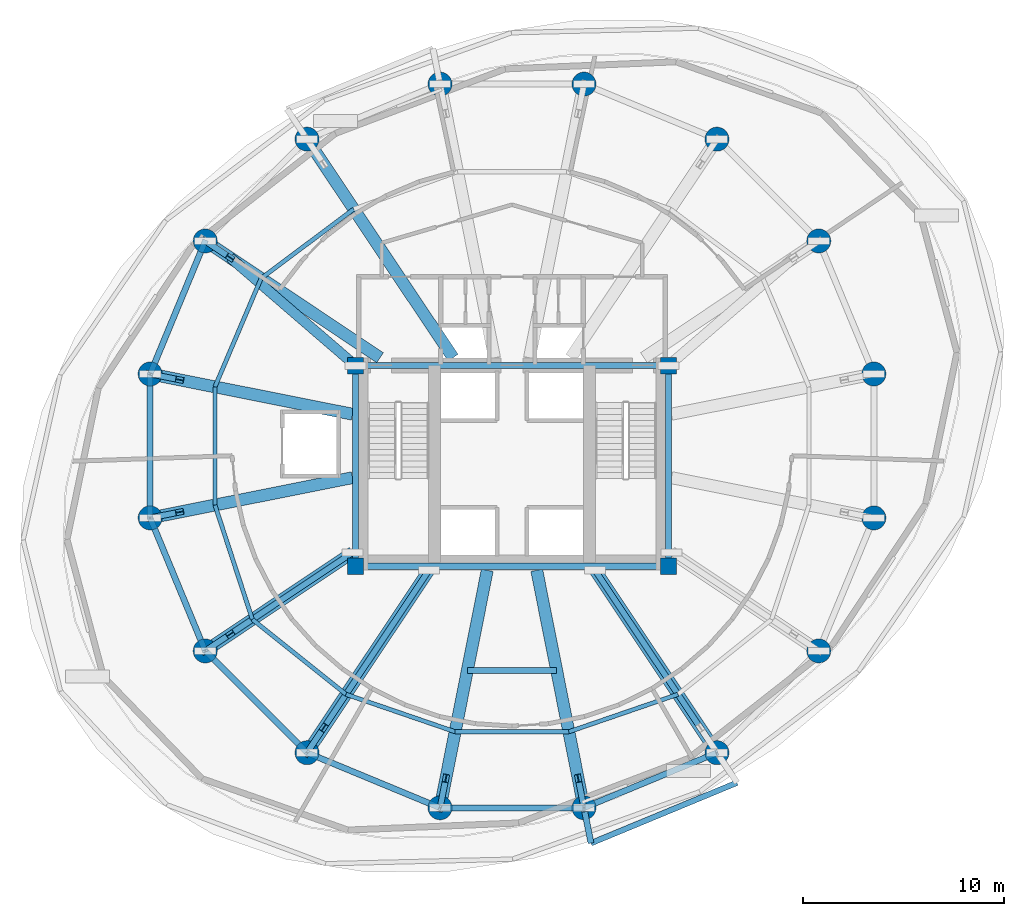
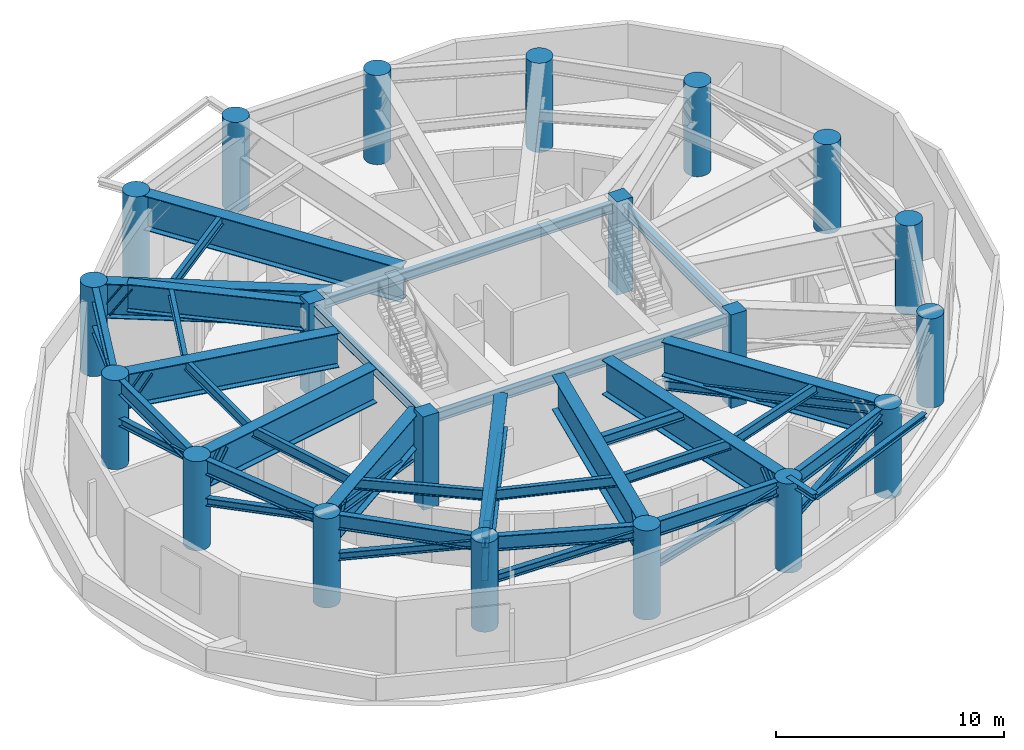
# One storey, part 1 of 7: 32 beams, 20 columns, 17 members.
"""IFC4 building model written with IfcOpenShell, lengths in metres."""

from ifc_helpers import new_model, si_unit, direction, frame, origin, origin_2d, place, context, subcontext, project, spatial, rectangle, circle, i_section, extrude, material, material_profile, profile_set, type_object, element, save


model = new_model("IFC4")

# Units and contexts
model_context = context("Model", 3, precision=1e-05, world=origin(), true_north=direction((0.0, 1.0)))
body_context = subcontext(model_context, "Body", "Model", "MODEL_VIEW")
ifc_project = project(units=[si_unit("LENGTHUNIT", "METRE"), si_unit("AREAUNIT", "SQUARE_METRE"), si_unit("VOLUMEUNIT", "CUBIC_METRE"), si_unit("PLANEANGLEUNIT", "RADIAN"), si_unit("MASSUNIT", "GRAM", prefix="KILO"), si_unit("THERMODYNAMICTEMPERATUREUNIT", "KELVIN"), si_unit("POWERUNIT", "WATT")], contexts=[model_context])

# Site, building, storey
site_placement = place(None, origin())
site = spatial("IfcSite", under=ifc_project, at=site_placement, CompositionType="ELEMENT")
building_placement = place(site_placement, origin())
building = spatial("IfcBuilding", under=site, at=building_placement, Name="Ocrelia Relay Tower", CompositionType="ELEMENT")
storey_placement = place(building_placement, frame((0.0, 0.0, 157.800048828125)))
storey = spatial("IfcBuildingStorey", under=building, at=storey_placement, Name="L37", CompositionType="ELEMENT", Elevation=157.800048828125)

# Columns
ifc_material_1 = material(Name="Concrete C60/75", Category="concrete")
ifc_material_profile_1 = material_profile(ifc_material_1, circle(Radius=0.60009765625, at=origin_2d()), Name="RC-CIR-1200")
ifc_profile_set_1 = profile_set([ifc_material_profile_1], Name="Concrete C60/75")
column_type_1 = type_object("IfcColumnType", Name="COL-CT-1200", PredefinedType="COLUMN", material=ifc_profile_set_1)
for number, where, z_axis, x_axis, name in (
    (1, (52.04638671875, 29.589599609375, 0.0), (0.0, 0.0, 1.0), (1.0, 0.0, 0.0), "L37 Perimeter Ring Column C01"),
    (2, (49.299072265625, 36.222412109375, 0.0), (0.0, 0.0, 1.0), (1.0, 0.0, 0.0), "L37 Perimeter Ring Column C02"),
    (3, (44.222412109375, 41.299072265625, 0.0), (0.0, 0.0, 1.0), (1.0, 0.0, 0.0), "L37 Perimeter Ring Column C03"),
    (4, (37.589599609375, 44.04638671875, 0.0), (0.0, 0.0, 1.0), (1.0, 0.0, 0.0), "L37 Perimeter Ring Column C04"),
    (5, (30.410400390625, 44.04638671875, 0.0), (0.0, 0.0, 1.0), (1.0, 0.0, 0.0), "L37 Perimeter Ring Column C05"),
    (6, (23.777587890625, 41.299072265625, 0.0), (0.0, 0.0, 1.0), (1.0, 0.0, 0.0), "L37 Perimeter Ring Column C06"),
    (7, (18.700927734375, 36.222412109375, 0.0), (0.0, 0.0, 1.0), (1.0, 0.0, 0.0), "L37 Perimeter Ring Column C07"),
    (8, (15.95361328125, 29.589599609375, 0.0), (0.0, 0.0, 1.0), (1.0, 0.0, 0.0), "L37 Perimeter Ring Column C08"),
    (9, (15.95361328125, 22.410400390625, 0.0), (0.0, 0.0, 1.0), (1.0, 0.0, 0.0), "L37 Perimeter Ring Column C09"),
    (10, (18.700927734375, 15.777587890625, 0.0), (0.0, 0.0, 1.0), (1.0, 0.0, 0.0), "L37 Perimeter Ring Column C10"),
    (11, (23.777587890625, 10.700927734375, 0.0), (0.0, 0.0, 1.0), (1.0, 0.0, 0.0), "L37 Perimeter Ring Column C11"),
    (12, (30.410400390625, 7.95361328125, 0.0), (0.0, 0.0, 1.0), (1.0, 0.0, 0.0), "L37 Perimeter Ring Column C12"),
    (13, (37.589599609375, 7.95361328125, 0.0), (0.0, 0.0, 1.0), (1.0, 0.0, 0.0), "L37 Perimeter Ring Column C13"),
    (14, (44.222412109375, 10.700927734375, 0.0), (0.0, 0.0, 1.0), (1.0, 0.0, 0.0), "L37 Perimeter Ring Column C14"),
    (15, (49.299072265625, 15.777587890625, 0.0), (0.0, 0.0, 1.0), (1.0, 0.0, 0.0), "L37 Perimeter Ring Column C15"),
    (16, (52.04638671875, 22.410400390625, 0.0), (0.0, 0.0, 1.0), (1.0, 0.0, 0.0), "L37 Perimeter Ring Column C16"),
):
    element("IfcColumn", number, at=place(storey_placement, frame(where, z_axis=z_axis, x_axis=x_axis)), inside=storey, type_object=column_type_1, Name=name, PredefinedType="COLUMN", context=body_context, shape_type="SweptSolid", body=[
        extrude(circle(Radius=0.60009765625, at=origin_2d()), origin(), (0.0, 0.0, 1.0), 4.780029296875),
    ])
ifc_material_profile_2 = material_profile(ifc_material_1, rectangle(XDim=0.800048828125, YDim=0.800048828125, at=origin_2d()), Name="RC-COL-800x800")
ifc_profile_set_2 = profile_set([ifc_material_profile_2], Name="Concrete C60/75")
column_type_2 = type_object("IfcColumnType", Name="COL-PILASTER-800", PredefinedType="PILASTER", material=ifc_profile_set_2)
for number, where, z_axis, x_axis, name in (
    (17, (26.199951171875, 20.0, 0.0), (0.0, 0.0, 1.0), (1.0, 0.0, 0.0), "L37 Core Corner Pilaster SW"),
    (18, (41.800048828125, 20.0, 0.0), (0.0, 0.0, 1.0), (1.0, 0.0, 0.0), "L37 Core Corner Pilaster SE"),
    (19, (26.199951171875, 30.0, 0.0), (0.0, 0.0, 1.0), (1.0, 0.0, 0.0), "L37 Core Corner Pilaster NW"),
    (20, (41.800048828125, 30.0, 0.0), (0.0, 0.0, 1.0), (1.0, 0.0, 0.0), "L37 Core Corner Pilaster NE"),
):
    element("IfcColumn", number, at=place(storey_placement, frame(where, z_axis=z_axis, x_axis=x_axis)), inside=storey, type_object=column_type_2, Name=name, PredefinedType="PILASTER", context=body_context, shape_type="SweptSolid", body=[
        extrude(rectangle(XDim=0.800048828125, YDim=0.800048828125, at=origin_2d()), origin(), (0.0, 0.0, 1.0), 5.0),
    ])

# Beams
ifc_material_2 = material(Name="Steel S355", Category="steel")
ifc_material_profile_3 = material_profile(ifc_material_2, i_section(OverallWidth=0.280029296875, OverallDepth=0.27001953125, WebThickness=0.008056640625, FlangeThickness=0.012939453125, FilletRadius=0.02392578125, at=origin_2d()), Name="HEA 280")
ifc_profile_set_3 = profile_set([ifc_material_profile_3], Name="Steel S355")
beam_type_1 = type_object("IfcBeamType", Name="BM-HEA280", PredefinedType="BEAM", material=ifc_profile_set_3)
beam_1_placement = place(storey_placement, frame((37.94091796875, 6.188232421875, 4.64501953125), z_axis=(0.923878650857, 0.382685560861, 0.0), x_axis=(-0.382685560861, 0.923878650857, 0.0)))
element("IfcBeam", 21, at=beam_1_placement, inside=storey, type_object=beam_type_1, Name="L38 Balcony Edge Trimmer Beam B2", PredefinedType="BEAM", context=body_context, shape_type="SweptSolid", body=[
    extrude(i_section(OverallWidth=0.280029296875, OverallDepth=0.27001953125, WebThickness=0.008056640625, FlangeThickness=0.012939453125, FilletRadius=0.02392578125, at=origin_2d()), origin(), (0.0, 0.0, 1.0), 7.88134765625),
])
ifc_material_profile_4 = material_profile(ifc_material_2, i_section(OverallWidth=0.300048828125, OverallDepth=0.330078125, WebThickness=0.009521484375, FlangeThickness=0.0166015625, FilletRadius=0.027099609375, at=origin_2d()), Name="HEA 340")
ifc_profile_set_4 = profile_set([ifc_material_profile_4], Name="Steel S355")
beam_type_2 = type_object("IfcBeamType", Name="BM-HEA340", PredefinedType="BEAM", material=ifc_profile_set_4)
beam_2_placement = place(storey_placement, frame((37.589599609375, 7.95361328125, 4.614990234375), z_axis=(0.19517704197, -0.980768026746, 0.0), x_axis=(0.980768026746, 0.19517704197, 0.0)))
element("IfcBeam", 22, at=beam_2_placement, inside=storey, type_object=beam_type_2, Name="L38 Balcony Cantilever Beam B2-1", PredefinedType="BEAM", context=body_context, shape_type="SweptSolid", body=[
    extrude(i_section(OverallWidth=0.300048828125, OverallDepth=0.330078125, WebThickness=0.009521484375, FlangeThickness=0.0166015625, FilletRadius=0.027099609375, at=origin_2d()), origin(), (0.0, 0.0, 1.0), 1.800048828125),
])
ifc_material_profile_5 = material_profile(ifc_material_2, i_section(OverallWidth=0.300048828125, OverallDepth=0.5, WebThickness=0.014404296875, FlangeThickness=0.028076171875, FilletRadius=0.027099609375, at=origin_2d()), Name="HEB 500")
ifc_profile_set_5 = profile_set([ifc_material_profile_5], Name="Steel S355")
beam_type_3 = type_object("IfcBeamType", Name="BM-HEB500", PredefinedType="BEAM", material=ifc_profile_set_5)
for number, where, z_axis, x_axis, name in (
    (23, (26.199951171875, 20.0, 4.530029296875), (1.0, 0.0, 0.0), (0.0, 1.0, 0.0), "L37 Core Pilaster Tie Beam S"),
    (24, (26.199951171875, 30.0, 4.530029296875), (1.0, 0.0, 0.0), (0.0, 1.0, 0.0), "L37 Core Pilaster Tie Beam N"),
):
    element("IfcBeam", number, at=place(storey_placement, frame(where, z_axis=z_axis, x_axis=x_axis)), inside=storey, type_object=beam_type_3, Name=name, PredefinedType="BEAM", context=body_context, shape_type="SweptSolid", body=[
        extrude(i_section(OverallWidth=0.300048828125, OverallDepth=0.5, WebThickness=0.014404296875, FlangeThickness=0.028076171875, FilletRadius=0.027099609375, at=origin_2d()), origin(), (0.0, 0.0, 1.0), 15.60009765625),
    ])
for number, where, z_axis, x_axis, name in (
    (25, (26.199951171875, 20.0, 4.530029296875), (0.0, 1.0, 0.0), (-1.0, 0.0, 0.0), "L37 Core Pilaster Tie Beam W"),
    (26, (41.800048828125, 20.0, 4.530029296875), (0.0, 1.0, 0.0), (-1.0, 0.0, 0.0), "L37 Core Pilaster Tie Beam E"),
):
    element("IfcBeam", number, at=place(storey_placement, frame(where, z_axis=z_axis, x_axis=x_axis)), inside=storey, type_object=beam_type_3, Name=name, PredefinedType="BEAM", context=body_context, shape_type="SweptSolid", body=[
        extrude(i_section(OverallWidth=0.300048828125, OverallDepth=0.5, WebThickness=0.014404296875, FlangeThickness=0.028076171875, FilletRadius=0.027099609375, at=origin_2d()), origin(), (0.0, 0.0, 1.0), 10.0),
    ])
ifc_material_profile_6 = material_profile(ifc_material_2, i_section(OverallWidth=0.300048828125, OverallDepth=0.550048828125, WebThickness=0.014892578125, FlangeThickness=0.029052734375, FilletRadius=0.027099609375, at=origin_2d()), Name="HEB 550")
ifc_profile_set_6 = profile_set([ifc_material_profile_6], Name="Steel S355")
beam_type_4 = type_object("IfcBeamType", Name="BM-HEB550", PredefinedType="BEAM", material=ifc_profile_set_6)
beam_3_placement = place(storey_placement, frame((31.772216796875, 14.800048828125, 4.5048828125), z_axis=(1.0, 0.0, 0.0), x_axis=(0.0, 1.0, 0.0)))
element("IfcBeam", 27, at=beam_3_placement, inside=storey, type_object=beam_type_4, Name="L37 Atrium South Trimmer Beam", PredefinedType="BEAM", context=body_context, shape_type="SweptSolid", body=[
    extrude(i_section(OverallWidth=0.300048828125, OverallDepth=0.550048828125, WebThickness=0.014892578125, FlangeThickness=0.029052734375, FilletRadius=0.027099609375, at=origin_2d()), origin(), (0.0, 0.0, 1.0), 4.45556640625),
])
ifc_material_profile_7 = material_profile(ifc_material_2, i_section(OverallWidth=0.300048828125, OverallDepth=0.800048828125, WebThickness=0.017578125, FlangeThickness=0.032958984375, FilletRadius=0.030029296875, at=origin_2d()), Name="HEB 800")
ifc_profile_set_7 = profile_set([ifc_material_profile_7], Name="Steel S355")
beam_type_5 = type_object("IfcBeamType", Name="BM-HEB800", PredefinedType="BEAM", material=ifc_profile_set_7)
for number, where, z_axis, x_axis, name in (
    (28, (18.700927734375, 36.222412109375, 4.3798828125), (-0.382673155247, -0.923883789366, 0.0), (0.923883789366, -0.382673155247, 0.0), "L37 Perimeter Spandrel Beam S07"),
    (29, (15.95361328125, 29.589599609375, 4.3798828125), (0.0, -1.0, 0.0), (1.0, 0.0, 0.0), "L37 Perimeter Spandrel Beam S08"),
    (30, (15.95361328125, 22.410400390625, 4.3798828125), (0.382673155247, -0.923883789366, 0.0), (0.923883789366, 0.382673155247, 0.0), "L37 Perimeter Spandrel Beam S09"),
):
    element("IfcBeam", number, at=place(storey_placement, frame(where, z_axis=z_axis, x_axis=x_axis)), inside=storey, type_object=beam_type_5, Name=name, PredefinedType="BEAM", context=body_context, shape_type="SweptSolid", body=[
        extrude(i_section(OverallWidth=0.300048828125, OverallDepth=0.800048828125, WebThickness=0.017578125, FlangeThickness=0.032958984375, FilletRadius=0.030029296875, at=origin_2d()), origin(), (0.0, 0.0, 1.0), 7.17919921875),
    ])
beam_4_placement = place(storey_placement, frame((18.700927734375, 15.777587890625, 4.3798828125), z_axis=(0.707106781187, -0.707106781187, 0.0), x_axis=(0.707106781187, 0.707106781187, 0.0)))
element("IfcBeam", 31, at=beam_4_placement, inside=storey, type_object=beam_type_5, Name="L37 Perimeter Spandrel Beam S10", PredefinedType="BEAM", context=body_context, shape_type="SweptSolid", body=[
    extrude(i_section(OverallWidth=0.300048828125, OverallDepth=0.800048828125, WebThickness=0.017578125, FlangeThickness=0.032958984375, FilletRadius=0.030029296875, at=origin_2d()), origin(), (0.0, 0.0, 1.0), 7.179443359375),
])
for number, where, z_axis, x_axis, name in (
    (32, (23.777587890625, 10.700927734375, 4.3798828125), (0.923883789366, -0.382673155247, 0.0), (0.382673155247, 0.923883789366, 0.0), "L37 Perimeter Spandrel Beam S11"),
    (33, (30.410400390625, 7.95361328125, 4.3798828125), (1.0, 0.0, 0.0), (0.0, 1.0, 0.0), "L37 Perimeter Spandrel Beam S12"),
    (34, (37.589599609375, 7.95361328125, 4.3798828125), (0.923883789366, 0.382673155247, 0.0), (-0.382673155247, 0.923883789366, 0.0), "L37 Perimeter Spandrel Beam S13"),
):
    element("IfcBeam", number, at=place(storey_placement, frame(where, z_axis=z_axis, x_axis=x_axis)), inside=storey, type_object=beam_type_5, Name=name, PredefinedType="BEAM", context=body_context, shape_type="SweptSolid", body=[
        extrude(i_section(OverallWidth=0.300048828125, OverallDepth=0.800048828125, WebThickness=0.017578125, FlangeThickness=0.032958984375, FilletRadius=0.030029296875, at=origin_2d()), origin(), (0.0, 0.0, 1.0), 7.17919921875),
    ])
ifc_material_profile_8 = material_profile(ifc_material_2, i_section(OverallWidth=0.2099609375, OverallDepth=0.550048828125, WebThickness=0.010986328125, FlangeThickness=0.01708984375, FilletRadius=0.02392578125, at=origin_2d()), Name="IPE 550")
ifc_profile_set_8 = profile_set([ifc_material_profile_8], Name="Steel S355")
beam_type_6 = type_object("IfcBeamType", Name="BM-IPE550", PredefinedType="JOIST", material=ifc_profile_set_8)
beam_5_placement = place(storey_placement, frame((26.10791015625, 37.811279296875, 4.5048828125), z_axis=(-0.800989719568, -0.598678101442, 0.0), x_axis=(0.598678101442, -0.800989719568, 0.0)))
element("IfcBeam", 35, at=beam_5_placement, inside=storey, type_object=beam_type_6, Name="L37 Secondary Floor Joist J06", PredefinedType="JOIST", context=body_context, shape_type="SweptSolid", body=[
    extrude(i_section(OverallWidth=0.2099609375, OverallDepth=0.550048828125, WebThickness=0.010986328125, FlangeThickness=0.01708984375, FilletRadius=0.02392578125, at=origin_2d()), origin(), (0.0, 0.0, 1.0), 5.765869140625),
])
beam_6_placement = place(storey_placement, frame((21.489501953125, 34.359375, 4.5048828125), z_axis=(-0.391849705227, -0.920029243293, 0.0), x_axis=(0.920029243293, -0.391849705227, 0.0)))
element("IfcBeam", 36, at=beam_6_placement, inside=storey, type_object=beam_type_6, Name="L37 Secondary Floor Joist J07", PredefinedType="JOIST", context=body_context, shape_type="SweptSolid", body=[
    extrude(i_section(OverallWidth=0.2099609375, OverallDepth=0.550048828125, WebThickness=0.010986328125, FlangeThickness=0.01708984375, FilletRadius=0.02392578125, at=origin_2d()), origin(), (0.0, 0.0, 1.0), 5.8828125),
])
beam_7_placement = place(storey_placement, frame((19.184326171875, 28.947021484375, 4.5048828125), z_axis=(0.0, -1.0, 0.0), x_axis=(1.0, 0.0, 0.0)))
element("IfcBeam", 37, at=beam_7_placement, inside=storey, type_object=beam_type_6, Name="L37 Secondary Floor Joist J08", PredefinedType="JOIST", context=body_context, shape_type="SweptSolid", body=[
    extrude(i_section(OverallWidth=0.2099609375, OverallDepth=0.550048828125, WebThickness=0.010986328125, FlangeThickness=0.01708984375, FilletRadius=0.02392578125, at=origin_2d()), origin(), (0.0, 0.0, 1.0), 5.89404296875),
])
beam_8_placement = place(storey_placement, frame((19.184326171875, 23.052978515625, 4.5048828125), z_axis=(0.311281530226, -0.950317741043, 0.0), x_axis=(0.950317741043, 0.311281530226, 0.0)))
element("IfcBeam", 38, at=beam_8_placement, inside=storey, type_object=beam_type_6, Name="L37 Secondary Floor Joist J09", PredefinedType="JOIST", context=body_context, shape_type="SweptSolid", body=[
    extrude(i_section(OverallWidth=0.2099609375, OverallDepth=0.550048828125, WebThickness=0.010986328125, FlangeThickness=0.01708984375, FilletRadius=0.02392578125, at=origin_2d()), origin(), (0.0, 0.0, 1.0), 6.002197265625),
])
beam_9_placement = place(storey_placement, frame((21.052734375, 17.348876953125, 4.5048828125), z_axis=(0.780872792004, -0.624690069321, 0.0), x_axis=(0.624690069321, 0.780872792004, 0.0)))
element("IfcBeam", 39, at=beam_9_placement, inside=storey, type_object=beam_type_6, Name="L37 Secondary Floor Joist J10", PredefinedType="JOIST", context=body_context, shape_type="SweptSolid", body=[
    extrude(i_section(OverallWidth=0.2099609375, OverallDepth=0.550048828125, WebThickness=0.010986328125, FlangeThickness=0.01708984375, FilletRadius=0.02392578125, at=origin_2d()), origin(), (0.0, 0.0, 1.0), 5.980712890625),
])
beam_10_placement = place(storey_placement, frame((25.722900390625, 13.61279296875, 4.5048828125), z_axis=(0.945797431925, -0.324757167378, 0.0), x_axis=(0.324757167378, 0.945797431925, 0.0)))
element("IfcBeam", 40, at=beam_10_placement, inside=storey, type_object=beam_type_6, Name="L37 Secondary Floor Joist J11", PredefinedType="JOIST", context=body_context, shape_type="SweptSolid", body=[
    extrude(i_section(OverallWidth=0.2099609375, OverallDepth=0.550048828125, WebThickness=0.010986328125, FlangeThickness=0.01708984375, FilletRadius=0.02392578125, at=origin_2d()), origin(), (0.0, 0.0, 1.0), 5.753173828125),
])
beam_11_placement = place(storey_placement, frame((31.164306640625, 11.744384765625, 4.5048828125), z_axis=(1.0, 0.0, 0.0), x_axis=(0.0, 1.0, 0.0)))
element("IfcBeam", 41, at=beam_11_placement, inside=storey, type_object=beam_type_6, Name="L37 Secondary Floor Joist J12", PredefinedType="JOIST", context=body_context, shape_type="SweptSolid", body=[
    extrude(i_section(OverallWidth=0.2099609375, OverallDepth=0.550048828125, WebThickness=0.010986328125, FlangeThickness=0.01708984375, FilletRadius=0.02392578125, at=origin_2d()), origin(), (0.0, 0.0, 1.0), 5.67138671875),
])
beam_12_placement = place(storey_placement, frame((36.835693359375, 11.744384765625, 4.5048828125), z_axis=(0.945797431925, 0.324757167378, 0.0), x_axis=(-0.324757167378, 0.945797431925, 0.0)))
element("IfcBeam", 42, at=beam_12_placement, inside=storey, type_object=beam_type_6, Name="L37 Secondary Floor Joist J13", PredefinedType="JOIST", context=body_context, shape_type="SweptSolid", body=[
    extrude(i_section(OverallWidth=0.2099609375, OverallDepth=0.550048828125, WebThickness=0.010986328125, FlangeThickness=0.01708984375, FilletRadius=0.02392578125, at=origin_2d()), origin(), (0.0, 0.0, 1.0), 5.753173828125),
])
ifc_material_profile_9 = material_profile(ifc_material_2, i_section(OverallWidth=0.5, OverallDepth=1.5, WebThickness=0.02587890625, FlangeThickness=0.0380859375, FilletRadius=0.02001953125, at=origin_2d()), Name="WPG 1500x500")
ifc_profile_set_9 = profile_set([ifc_material_profile_9], Name="Steel S355")
beam_type_7 = type_object("IfcBeamType", Name="BM-WPG1500", PredefinedType="T_BEAM", material=ifc_profile_set_9)
beam_13_placement = place(storey_placement, frame((19.9482421875, 35.38916015625, 4.030029296875), z_axis=(0.757424589403, -0.652922653434, 0.0), x_axis=(0.652922653434, 0.757424589403, 0.0)))
element("IfcBeam", 43, at=beam_13_placement, inside=storey, type_object=beam_type_7, Name="L37 Zone Setback Core Link Girder XL07", PredefinedType="T_BEAM", context=body_context, shape_type="SweptSolid", body=[
    extrude(i_section(OverallWidth=0.5, OverallDepth=1.5, WebThickness=0.02587890625, FlangeThickness=0.0380859375, FilletRadius=0.02001953125, at=origin_2d()), origin(), (0.0, 0.0, 1.0), 8.25390625),
])
ifc_material_profile_10 = material_profile(ifc_material_2, i_section(OverallWidth=0.60009765625, OverallDepth=1.85009765625, WebThickness=0.028076171875, FlangeThickness=0.0400390625, FilletRadius=0.02001953125, at=origin_2d()), Name="WPG 1850x600")
ifc_profile_set_10 = profile_set([ifc_material_profile_10], Name="Steel S355")
beam_type_8 = type_object("IfcBeamType", Name="BM-WPG1650", PredefinedType="T_BEAM", material=ifc_profile_set_10)
beam_14_placement = place(storey_placement, frame((23.777587890625, 41.299072265625, 3.85498046875), z_axis=(0.555563808642, -0.831473904898, 0.0), x_axis=(0.831473904898, 0.555563808642, 0.0)))
element("IfcBeam", 44, at=beam_14_placement, inside=storey, type_object=beam_type_8, Name="L37 Radial Transfer Girder R06", PredefinedType="T_BEAM", context=body_context, shape_type="SweptSolid", body=[
    extrude(i_section(OverallWidth=0.60009765625, OverallDepth=1.85009765625, WebThickness=0.028076171875, FlangeThickness=0.0400390625, FilletRadius=0.02001953125, at=origin_2d()), origin(), (0.0, 0.0, 1.0), 13.108154296875),
])
beam_15_placement = place(storey_placement, frame((18.700927734375, 36.222412109375, 3.85498046875), z_axis=(0.831472841898, -0.555565399558, 0.0), x_axis=(0.555565399558, 0.831472841898, 0.0)))
element("IfcBeam", 45, at=beam_15_placement, inside=storey, type_object=beam_type_8, Name="L37 Radial Transfer Girder R07", PredefinedType="T_BEAM", context=body_context, shape_type="SweptSolid", body=[
    extrude(i_section(OverallWidth=0.60009765625, OverallDepth=1.85009765625, WebThickness=0.028076171875, FlangeThickness=0.0400390625, FilletRadius=0.02001953125, at=origin_2d()), origin(), (0.0, 0.0, 1.0), 10.480224609375),
])
for number, where, z_axis, x_axis, name in (
    (46, (15.95361328125, 29.589599609375, 3.85498046875), (0.980785375486, -0.195089844003, 0.0), (0.195089844003, 0.980785375486, 0.0), "L37 Radial Transfer Girder R08"),
    (47, (15.95361328125, 22.410400390625, 3.85498046875), (0.980785375486, 0.195089844003, 0.0), (-0.195089844003, 0.980785375486, 0.0), "L37 Radial Transfer Girder R09"),
):
    element("IfcBeam", number, at=place(storey_placement, frame(where, z_axis=z_axis, x_axis=x_axis)), inside=storey, type_object=beam_type_8, Name=name, PredefinedType="T_BEAM", context=body_context, shape_type="SweptSolid", body=[
        extrude(i_section(OverallWidth=0.60009765625, OverallDepth=1.85009765625, WebThickness=0.028076171875, FlangeThickness=0.0400390625, FilletRadius=0.02001953125, at=origin_2d()), origin(), (0.0, 0.0, 1.0), 10.294189453125),
    ])
beam_16_placement = place(storey_placement, frame((18.700927734375, 15.777587890625, 3.85498046875), z_axis=(0.831476162537, 0.555560429776, 0.0), x_axis=(-0.555560429776, 0.831476162537, 0.0)))
element("IfcBeam", 48, at=beam_16_placement, inside=storey, type_object=beam_type_8, Name="L37 Radial Transfer Girder R10", PredefinedType="T_BEAM", context=body_context, shape_type="SweptSolid", body=[
    extrude(i_section(OverallWidth=0.60009765625, OverallDepth=1.85009765625, WebThickness=0.028076171875, FlangeThickness=0.0400390625, FilletRadius=0.02001953125, at=origin_2d()), origin(), (0.0, 0.0, 1.0), 8.838623046875),
])
beam_17_placement = place(storey_placement, frame((23.777587890625, 10.700927734375, 3.85498046875), z_axis=(0.55556995794, 0.831469796105, 0.0), x_axis=(-0.831469796105, 0.55556995794, 0.0)))
element("IfcBeam", 49, at=beam_17_placement, inside=storey, type_object=beam_type_8, Name="L37 Radial Transfer Girder R11", PredefinedType="T_BEAM", context=body_context, shape_type="SweptSolid", body=[
    extrude(i_section(OverallWidth=0.60009765625, OverallDepth=1.85009765625, WebThickness=0.028076171875, FlangeThickness=0.0400390625, FilletRadius=0.02001953125, at=origin_2d()), origin(), (0.0, 0.0, 1.0), 10.943359375),
])
for number, where, z_axis, x_axis, name in (
    (50, (30.410400390625, 7.95361328125, 3.85498046875), (0.195074284903, 0.980788470247, 0.0), (-0.980788470247, 0.195074284903, 0.0), "L37 Radial Transfer Girder R12"),
    (51, (37.589599609375, 7.95361328125, 3.85498046875), (-0.195074284903, 0.980788470247, 0.0), (-0.980788470247, -0.195074284903, 0.0), "L37 Radial Transfer Girder R13"),
):
    element("IfcBeam", number, at=place(storey_placement, frame(where, z_axis=z_axis, x_axis=x_axis)), inside=storey, type_object=beam_type_8, Name=name, PredefinedType="T_BEAM", context=body_context, shape_type="SweptSolid", body=[
        extrude(i_section(OverallWidth=0.60009765625, OverallDepth=1.85009765625, WebThickness=0.028076171875, FlangeThickness=0.0400390625, FilletRadius=0.02001953125, at=origin_2d()), origin(), (0.0, 0.0, 1.0), 12.078369140625),
    ])
beam_18_placement = place(storey_placement, frame((44.222412109375, 10.700927734375, 3.85498046875), z_axis=(-0.55556995794, 0.831469796105, 0.0), x_axis=(-0.831469796105, -0.55556995794, 0.0)))
element("IfcBeam", 52, at=beam_18_placement, inside=storey, type_object=beam_type_8, Name="L37 Radial Transfer Girder R14", PredefinedType="T_BEAM", context=body_context, shape_type="SweptSolid", body=[
    extrude(i_section(OverallWidth=0.60009765625, OverallDepth=1.85009765625, WebThickness=0.028076171875, FlangeThickness=0.0400390625, FilletRadius=0.02001953125, at=origin_2d()), origin(), (0.0, 0.0, 1.0), 10.943359375),
])

# Members
ifc_material_profile_11 = material_profile(ifc_material_2, i_section(OverallWidth=0.300048828125, OverallDepth=0.39990234375, WebThickness=0.013427734375, FlangeThickness=0.02392578125, FilletRadius=0.027099609375, at=origin_2d()), Name="HEB 400")
ifc_profile_set_11 = profile_set([ifc_material_profile_11], Name="Steel S355")
member_type_1 = type_object("IfcMemberType", Name="MB-BELT-DIAG", PredefinedType="BRACE", material=ifc_profile_set_11)
member_1_placement = place(storey_placement, frame((18.700927734375, 36.222412109375, 2.349853515625), z_axis=(-0.367556604036, -0.887388058158, 0.278288657815), x_axis=(0.923883789366, -0.382673155247, 0.0)))
element("IfcMember", 53, at=member_1_placement, inside=storey, type_object=member_type_1, Name="L37 Perimeter Belt Truss Diagonal B07", PredefinedType="BRACE", context=body_context, shape_type="SweptSolid", body=[
    extrude(i_section(OverallWidth=0.300048828125, OverallDepth=0.39990234375, WebThickness=0.013427734375, FlangeThickness=0.02392578125, FilletRadius=0.027099609375, at=origin_2d()), origin(), (0.0, 0.0, 1.0), 7.474609375),
])
member_2_placement = place(storey_placement, frame((15.95361328125, 29.589599609375, 2.349853515625), z_axis=(0.0, -0.960496738936, 0.278291240418), x_axis=(1.0, 0.0, 0.0)))
element("IfcMember", 54, at=member_2_placement, inside=storey, type_object=member_type_1, Name="L37 Perimeter Belt Truss Diagonal B08", PredefinedType="BRACE", context=body_context, shape_type="SweptSolid", body=[
    extrude(i_section(OverallWidth=0.300048828125, OverallDepth=0.39990234375, WebThickness=0.013427734375, FlangeThickness=0.02392578125, FilletRadius=0.027099609375, at=origin_2d()), origin(), (0.0, 0.0, 1.0), 7.474365234375),
])
member_3_placement = place(storey_placement, frame((15.95361328125, 22.410400390625, 2.349853515625), z_axis=(0.367556604036, -0.887388058158, 0.278288657815), x_axis=(0.923883789366, 0.382673155247, 0.0)))
element("IfcMember", 55, at=member_3_placement, inside=storey, type_object=member_type_1, Name="L37 Perimeter Belt Truss Diagonal B09", PredefinedType="BRACE", context=body_context, shape_type="SweptSolid", body=[
    extrude(i_section(OverallWidth=0.300048828125, OverallDepth=0.39990234375, WebThickness=0.013427734375, FlangeThickness=0.02392578125, FilletRadius=0.027099609375, at=origin_2d()), origin(), (0.0, 0.0, 1.0), 7.474609375),
])
member_4_placement = place(storey_placement, frame((18.700927734375, 15.777587890625, 2.349853515625), z_axis=(0.679175826524, -0.679175826524, 0.278281140809), x_axis=(0.707106781187, 0.707106781187, 0.0)))
element("IfcMember", 56, at=member_4_placement, inside=storey, type_object=member_type_1, Name="L37 Perimeter Belt Truss Diagonal B10", PredefinedType="BRACE", context=body_context, shape_type="SweptSolid", body=[
    extrude(i_section(OverallWidth=0.300048828125, OverallDepth=0.39990234375, WebThickness=0.013427734375, FlangeThickness=0.02392578125, FilletRadius=0.027099609375, at=origin_2d()), origin(), (0.0, 0.0, 1.0), 7.474853515625),
])
member_5_placement = place(storey_placement, frame((23.777587890625, 10.700927734375, 2.349853515625), z_axis=(0.887388058158, -0.367556604036, 0.278288657815), x_axis=(0.382673155247, 0.923883789366, 0.0)))
element("IfcMember", 57, at=member_5_placement, inside=storey, type_object=member_type_1, Name="L37 Perimeter Belt Truss Diagonal B11", PredefinedType="BRACE", context=body_context, shape_type="SweptSolid", body=[
    extrude(i_section(OverallWidth=0.300048828125, OverallDepth=0.39990234375, WebThickness=0.013427734375, FlangeThickness=0.02392578125, FilletRadius=0.027099609375, at=origin_2d()), origin(), (0.0, 0.0, 1.0), 7.474609375),
])
member_6_placement = place(storey_placement, frame((30.410400390625, 7.95361328125, 2.349853515625), z_axis=(0.960496738936, 0.0, 0.278291240418), x_axis=(0.0, 1.0, 0.0)))
element("IfcMember", 58, at=member_6_placement, inside=storey, type_object=member_type_1, Name="L37 Perimeter Belt Truss Diagonal B12", PredefinedType="BRACE", context=body_context, shape_type="SweptSolid", body=[
    extrude(i_section(OverallWidth=0.300048828125, OverallDepth=0.39990234375, WebThickness=0.013427734375, FlangeThickness=0.02392578125, FilletRadius=0.027099609375, at=origin_2d()), origin(), (0.0, 0.0, 1.0), 7.474365234375),
])
member_7_placement = place(storey_placement, frame((37.589599609375, 7.95361328125, 2.349853515625), z_axis=(0.887388058158, 0.367556604036, 0.278288657815), x_axis=(-0.382673155247, 0.923883789366, 0.0)))
element("IfcMember", 59, at=member_7_placement, inside=storey, type_object=member_type_1, Name="L37 Perimeter Belt Truss Diagonal B13", PredefinedType="BRACE", context=body_context, shape_type="SweptSolid", body=[
    extrude(i_section(OverallWidth=0.300048828125, OverallDepth=0.39990234375, WebThickness=0.013427734375, FlangeThickness=0.02392578125, FilletRadius=0.027099609375, at=origin_2d()), origin(), (0.0, 0.0, 1.0), 7.474609375),
])
ifc_material_profile_12 = material_profile(ifc_material_2, i_section(OverallWidth=0.300048828125, OverallDepth=0.5, WebThickness=0.014404296875, FlangeThickness=0.028076171875, FilletRadius=0.027099609375, at=origin_2d()), Name="HEB 500")
ifc_profile_set_12 = profile_set([ifc_material_profile_12], Name="Steel S355")
member_type_2 = type_object("IfcMemberType", Name="MB-OUTRIGGER-DIAG", PredefinedType="BRACE", material=ifc_profile_set_12)
member_8_placement = place(storey_placement, frame((26.050048828125, 20.68798828125, 2.349853515625), z_axis=(-0.81037662172, -0.541462527163, 0.223848302757), x_axis=(0.555560429776, -0.831476162537, 0.0)))
element("IfcMember", 60, at=member_8_placement, inside=storey, type_object=member_type_2, Name="L37 Core Outrigger Truss Brace O10", PredefinedType="BRACE", context=body_context, shape_type="SweptSolid", body=[
    extrude(i_section(OverallWidth=0.300048828125, OverallDepth=0.5, WebThickness=0.014404296875, FlangeThickness=0.028076171875, FilletRadius=0.027099609375, at=origin_2d()), origin(), (0.0, 0.0, 1.0), 9.06884765625),
])
for number, where, z_axis, x_axis, name in (
    (61, (29.857421875, 19.800048828125, 2.349853515625), (-0.546250899861, -0.817522830093, 0.182390725308), (0.831469796105, -0.55556995794, 0.0), "L37 Core Outrigger Truss Brace O11"),
    (62, (38.142578125, 19.800048828125, 2.349853515625), (0.546250899861, -0.817522830093, 0.182390725308), (0.831469796105, 0.55556995794, 0.0), "L37 Core Outrigger Truss Brace O14"),
):
    element("IfcMember", number, at=place(storey_placement, frame(where, z_axis=z_axis, x_axis=x_axis)), inside=storey, type_object=member_type_2, Name=name, PredefinedType="BRACE", context=body_context, shape_type="SweptSolid", body=[
        extrude(i_section(OverallWidth=0.300048828125, OverallDepth=0.5, WebThickness=0.014404296875, FlangeThickness=0.028076171875, FilletRadius=0.027099609375, at=origin_2d()), origin(), (0.0, 0.0, 1.0), 11.130126953125),
    ])
ifc_material_profile_13 = material_profile(ifc_material_2, i_section(OverallWidth=0.300048828125, OverallDepth=0.5, WebThickness=0.014404296875, FlangeThickness=0.028076171875, FilletRadius=0.027099609375, at=origin_2d()), Name="HEB 500")
ifc_profile_set_13 = profile_set([ifc_material_profile_13], Name="Steel S355")
member_type_3 = type_object("IfcMemberType", Name="MB-RAKER-STRUT", PredefinedType="STRUT", material=ifc_profile_set_13)
member_9_placement = place(storey_placement, frame((18.700927734375, 36.222412109375, 2.349853515625), z_axis=(0.471330520602, -0.314866131692, 0.82383667038), x_axis=(0.555488691107, 0.831524091083, 0.0)))
element("IfcMember", 63, at=member_9_placement, inside=storey, type_object=member_type_3, Name="L37 Zone Setback Raker Strut RS07", PredefinedType="STRUT", context=body_context, shape_type="SweptSolid", body=[
    extrude(i_section(OverallWidth=0.300048828125, OverallDepth=0.5, WebThickness=0.014404296875, FlangeThickness=0.028076171875, FilletRadius=0.027099609375, at=origin_2d()), origin(), (0.0, 0.0, 1.0), 2.646484375),
])
for number, where, z_axis, x_axis, name in (
    (64, (15.95361328125, 29.589599609375, 2.349853515625), (0.555934386417, -0.110522634406, 0.823845680503), (0.194989189992, 0.980805391393, 0.0), "L37 Zone Setback Raker Strut RS08"),
    (65, (15.95361328125, 22.410400390625, 2.349853515625), (0.555934386417, 0.110522634406, 0.823845680503), (-0.194989189992, 0.980805391393, 0.0), "L37 Zone Setback Raker Strut RS09"),
):
    element("IfcMember", number, at=place(storey_placement, frame(where, z_axis=z_axis, x_axis=x_axis)), inside=storey, type_object=member_type_3, Name=name, PredefinedType="STRUT", context=body_context, shape_type="SweptSolid", body=[
        extrude(i_section(OverallWidth=0.300048828125, OverallDepth=0.5, WebThickness=0.014404296875, FlangeThickness=0.028076171875, FilletRadius=0.027099609375, at=origin_2d()), origin(), (0.0, 0.0, 1.0), 2.646240234375),
    ])
for number, where, z_axis, x_axis, name in (
    (66, (18.700927734375, 15.777587890625, 2.349853515625), (0.471330520602, 0.314866131692, 0.82383667038), (-0.555488691107, 0.831524091083, 0.0), "L37 Zone Setback Raker Strut RS10"),
    (67, (23.777587890625, 10.700927734375, 2.349853515625), (0.314866131692, 0.471330520602, 0.82383667038), (-0.831524091083, 0.555488691107, 0.0), "L37 Zone Setback Raker Strut RS11"),
):
    element("IfcMember", number, at=place(storey_placement, frame(where, z_axis=z_axis, x_axis=x_axis)), inside=storey, type_object=member_type_3, Name=name, PredefinedType="STRUT", context=body_context, shape_type="SweptSolid", body=[
        extrude(i_section(OverallWidth=0.300048828125, OverallDepth=0.5, WebThickness=0.014404296875, FlangeThickness=0.028076171875, FilletRadius=0.027099609375, at=origin_2d()), origin(), (0.0, 0.0, 1.0), 2.646484375),
    ])
for number, where, z_axis, x_axis, name in (
    (68, (30.410400390625, 7.95361328125, 2.349853515625), (0.110522634406, 0.555934386417, 0.823845680503), (-0.980805391393, 0.194989189992, 0.0), "L37 Zone Setback Raker Strut RS12"),
    (69, (37.589599609375, 7.95361328125, 2.349853515625), (-0.110522634406, 0.555934386417, 0.823845680503), (-0.980805391393, -0.194989189992, 0.0), "L37 Zone Setback Raker Strut RS13"),
):
    element("IfcMember", number, at=place(storey_placement, frame(where, z_axis=z_axis, x_axis=x_axis)), inside=storey, type_object=member_type_3, Name=name, PredefinedType="STRUT", context=body_context, shape_type="SweptSolid", body=[
        extrude(i_section(OverallWidth=0.300048828125, OverallDepth=0.5, WebThickness=0.014404296875, FlangeThickness=0.028076171875, FilletRadius=0.027099609375, at=origin_2d()), origin(), (0.0, 0.0, 1.0), 2.646240234375),
    ])

save(model, "model.ifc")
